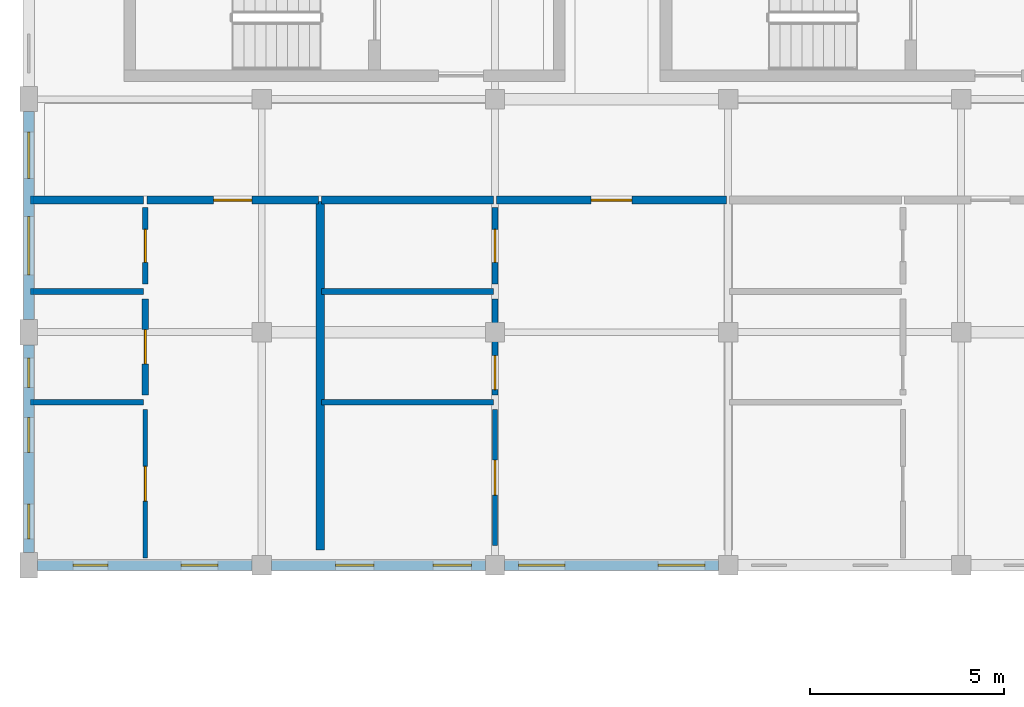
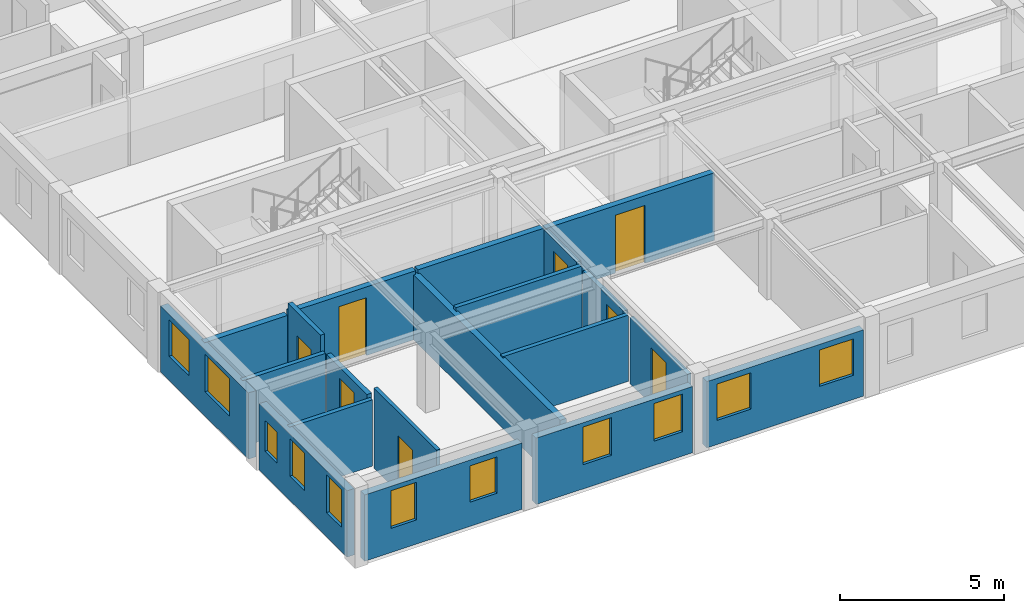
# One storey, part 4 of 23: 20 walls, 11 windows, 8 doors, 19 openings.
"""IFC4 building model written with IfcOpenShell, lengths in metres."""

from ifc_helpers import new_model, si_unit, direction, frame, frame_2d, origin, place, context, subcontext, project, spatial, rectangle, extrude, material, layer, layer_set, type_object, element, fill, save


model = new_model("IFC4")

# Units and contexts
model_context = context("Model", 3, precision=1e-05, world=origin(), true_north=direction((0.0, 1.0)))
body_context = subcontext(model_context, "Body", "Model", "MODEL_VIEW")
ifc_project = project(units=[si_unit("LENGTHUNIT", "METRE"), si_unit("AREAUNIT", "SQUARE_METRE"), si_unit("VOLUMEUNIT", "CUBIC_METRE"), si_unit("PLANEANGLEUNIT", "RADIAN"), si_unit("MASSUNIT", "GRAM", prefix="KILO"), si_unit("POWERUNIT", "WATT"), si_unit("THERMODYNAMICTEMPERATUREUNIT", "KELVIN")], contexts=[model_context])

# Site, building, storey
site_placement = place(None, origin())
site = spatial("IfcSite", under=ifc_project, at=site_placement, CompositionType="ELEMENT")
building_placement = place(site_placement, origin())
building = spatial("IfcBuilding", under=site, at=building_placement, Name="Ruvembo Vaulted Housing Court", CompositionType="ELEMENT")
storey_placement = place(building_placement, frame((0.0, 0.0, 26.89990234375)))
storey = spatial("IfcBuildingStorey", under=building, at=storey_placement, Name="L08", CompositionType="ELEMENT", Elevation=26.89990234375)

# Wall
ifc_material_1 = material(Name="Concrete Blockwork 210", Category="masonry")
ifc_layer_1 = layer(ifc_material_1, 0.2099609375, Name="Concrete Blockwork 210")
ifc_layer_set_1 = layer_set([ifc_layer_1], Name="Concrete Blockwork 210")
wall_type_1 = type_object("IfcWallType", Name="WL-CORR-210", PredefinedType="SOLIDWALL", material=ifc_layer_set_1)
wall_1_placement = place(storey_placement, frame((0.0400390625, 15.39990234375, 0.0), z_axis=(0.0, 0.0, 1.0), x_axis=(1.0, 0.0, 0.0)))
element("IfcWall", 1, at=wall_1_placement, inside=storey, type_object=wall_type_1, Name="L08 Flat A-L08-S1 Corridor Wall WL-INT-L08-02018", PredefinedType="SOLIDWALL", context=body_context, shape_type="SweptSolid", body=[
    extrude(rectangle(XDim=2.919921875, YDim=0.2099609375, at=frame_2d((1.4599609375, 0.0))), origin(), (0.0, 0.0, 1.0), 2.462158203125),
])

# Wall, opening, door
wall_2_placement = place(storey_placement, frame((3.0400390625, 15.39990234375, 0.0), z_axis=(0.0, 0.0, 1.0), x_axis=(1.0, 0.0, 0.0)))
wall_2 = element("IfcWall", 2, at=wall_2_placement, inside=storey, type_object=wall_type_1, Name="L08 Flat A-L08-S1 Entrance WL-INT-L08-02019", PredefinedType="SOLIDWALL", context=body_context, shape_type="SweptSolid", body=[
    extrude(rectangle(XDim=4.419921875, YDim=0.2099609375, at=frame_2d((2.2099609375, 0.0))), origin(), (0.0, 0.0, 1.0), 2.548095703125),
])
opening_1_placement = place(wall_2_placement, frame((1.719970703125, 0.0, 0.0)))
opening_1 = element("IfcOpeningElement", 3, at=opening_1_placement, cuts=wall_2, Name="Opening FD2", PredefinedType="OPENING", context=body_context, shape_type="SweptSolid", body=[
    extrude(rectangle(XDim=0.97998046875, YDim=2.14990234375, at=frame_2d((0.489990234375, 1.074951171875))), frame((0.0, 0.114990234375, 0.0), z_axis=(0.0, -1.0, 0.0), x_axis=(1.0, 0.0, 0.0)), (0.0, 0.0, 1.0), 0.22998046875),
])
ifc_material_2 = material(Name="FSC Hardwood and Engineered Timber", Category="wood")
door_type_1 = type_object("IfcDoorType", Name="DR-FLAT-0980x2150", OperationType="NOTDEFINED", PredefinedType="DOOR", material=ifc_material_2)
door_1_placement = place(opening_1_placement, origin())
door_1 = element("IfcDoor", 4, at=door_1_placement, inside=storey, type_object=door_type_1, Name="L08 Flat A-L08-S1 Entrance Door DR-INT-L08-01129", OperationType="SINGLE_SWING_LEFT", OverallHeight=2.14990234375, OverallWidth=0.97998046875, PredefinedType="DOOR", context=body_context, shape_type="SweptSolid", body=[
    extrude(rectangle(XDim=0.97998046875, YDim=2.14990234375, at=frame_2d((0.489990234375, 1.074951171875))), frame((0.0, 0.02490234375, 0.0), z_axis=(0.0, -1.0, 0.0), x_axis=(1.0, 0.0, 0.0)), (0.0, 0.0, 1.0), 0.050048828125),
])
fill(opening_1, door_1)

# Wall
wall_3_placement = place(storey_placement, frame((7.5400390625, 15.39990234375, 0.0), z_axis=(0.0, 0.0, 1.0), x_axis=(1.0, 0.0, 0.0)))
element("IfcWall", 5, at=wall_3_placement, inside=storey, type_object=wall_type_1, Name="L08 Flat A-L08-S2 Corridor Wall WL-INT-L08-02026", PredefinedType="SOLIDWALL", context=body_context, shape_type="SweptSolid", body=[
    extrude(rectangle(XDim=4.419921875, YDim=0.2099609375, at=frame_2d((2.2099609375, 0.0))), origin(), (0.0, 0.0, 1.0), 2.548095703125),
])

# Wall, opening, door
wall_4_placement = place(storey_placement, frame((12.0400390625, 15.39990234375, 0.0), z_axis=(0.0, 0.0, 1.0), x_axis=(1.0, 0.0, 0.0)))
wall_4 = element("IfcWall", 6, at=wall_4_placement, inside=storey, type_object=wall_type_1, Name="L08 Flat A-L08-S2 Entrance WL-INT-L08-02027", PredefinedType="SOLIDWALL", context=body_context, shape_type="SweptSolid", body=[
    extrude(rectangle(XDim=5.919921875, YDim=0.2099609375, at=frame_2d((2.9599609375, 0.0))), origin(), (0.0, 0.0, 1.0), 2.508056640625),
])
opening_2_placement = place(wall_4_placement, frame((2.43505859375, 0.0, 0.0)))
opening_2 = element("IfcOpeningElement", 7, at=opening_2_placement, cuts=wall_4, Name="Opening FD3", PredefinedType="OPENING", context=body_context, shape_type="SweptSolid", body=[
    extrude(rectangle(XDim=1.050048828125, YDim=2.14990234375, at=frame_2d((0.52490234375, 1.074951171875))), frame((0.0, 0.114990234375, 0.0), z_axis=(0.0, -1.0, 0.0), x_axis=(1.0, 0.0, 0.0)), (0.0, 0.0, 1.0), 0.22998046875),
])
door_type_2 = type_object("IfcDoorType", Name="DR-FLAT-1050x2150", OperationType="NOTDEFINED", PredefinedType="DOOR", material=ifc_material_2)
door_2_placement = place(opening_2_placement, origin())
door_2 = element("IfcDoor", 8, at=door_2_placement, inside=storey, type_object=door_type_2, Name="L08 Flat A-L08-S2 Entrance Door DR-INT-L08-01133", OperationType="SINGLE_SWING_LEFT", OverallHeight=2.14990234375, OverallWidth=1.050048828125, PredefinedType="DOOR", context=body_context, shape_type="SweptSolid", body=[
    extrude(rectangle(XDim=1.050048828125, YDim=2.14990234375, at=frame_2d((0.52490234375, 1.074951171875))), frame((0.0, 0.02490234375, 0.0), z_axis=(0.0, -1.0, 0.0), x_axis=(1.0, 0.0, 0.0)), (0.0, 0.0, 1.0), 0.050048828125),
])
fill(opening_2, door_2)

# Wall
ifc_material_3 = material(Name="Acoustic Masonry Demising 220", Category="masonry")
ifc_layer_2 = layer(ifc_material_3, 0.219970703125, Name="Acoustic Masonry Demising 220")
ifc_layer_set_2 = layer_set([ifc_layer_2], Name="Acoustic Masonry Demising 220")
wall_type_2 = type_object("IfcWallType", Name="WL-DEM-200", PredefinedType="SOLIDWALL", material=ifc_layer_set_2)
wall_5_placement = place(storey_placement, frame((7.5, 6.389892578125, 0.0), z_axis=(0.0, 0.0, 1.0), x_axis=(0.0, 1.0, 0.0)))
element("IfcWall", 9, at=wall_5_placement, inside=storey, type_object=wall_type_2, Name="L08 Demising A-L08-S1 WL-INT-L08-02017", PredefinedType="SOLIDWALL", context=body_context, shape_type="SweptSolid", body=[
    extrude(rectangle(XDim=8.97021484375, YDim=0.219970703125, at=frame_2d((4.485107421875, 0.0))), origin(), (0.0, 0.0, 1.0), 2.408203125),
])

# Wall, openings, windows
ifc_material_4 = material(Name="Rendered Masonry 260", Category="masonry")
ifc_layer_3 = layer(ifc_material_4, 0.260009765625, Name="Rendered Masonry 260")
ifc_layer_set_3 = layer_set([ifc_layer_3], Name="Rendered Masonry 260")
wall_type_3 = type_object("IfcWallType", Name="WL-EXT-260", PredefinedType="STANDARD", material=ifc_layer_set_3)
wall_6_placement = place(storey_placement, frame((0.22509765625, 6.0, 0.0), z_axis=(0.0, 0.0, 1.0), x_axis=(1.0, 0.0, 0.0)))
wall_6 = element("IfcWall", 10, at=wall_6_placement, inside=storey, type_object=wall_type_3, Name="Block A L08 Exterior Wall STREET #1", PredefinedType="STANDARD", context=body_context, shape_type="SweptSolid", body=[
    extrude(rectangle(XDim=5.52490234375, YDim=0.260009765625, at=frame_2d((2.762451171875, 0.0))), origin(), (0.0, 0.0, 1.0), 2.462158203125),
])
opening_3_placement = place(wall_6_placement, frame((0.91748046875, 0.0, 0.89990234375)))
opening_3 = element("IfcOpeningElement", 11, at=opening_3_placement, cuts=wall_6, Name="Opening W05", PredefinedType="OPENING", context=body_context, shape_type="SweptSolid", body=[
    extrude(rectangle(XDim=0.89990234375, YDim=1.39990234375, at=frame_2d((0.449951171875, 0.699951171875))), frame((0.0, 0.139892578125, 0.0), z_axis=(0.0, -1.0, 0.0), x_axis=(1.0, 0.0, 0.0)), (0.0, 0.0, 1.0), 0.280029296875),
])
opening_4_placement = place(wall_6_placement, frame((3.695068359375, 0.0, 0.89990234375)))
opening_4 = element("IfcOpeningElement", 12, at=opening_4_placement, cuts=wall_6, Name="Opening W07", PredefinedType="OPENING", context=body_context, shape_type="SweptSolid", body=[
    extrude(rectangle(XDim=0.949951171875, YDim=1.35009765625, at=frame_2d((0.47509765625, 0.675048828125))), frame((0.0, 0.139892578125, 0.0), z_axis=(0.0, -1.0, 0.0), x_axis=(1.0, 0.0, 0.0)), (0.0, 0.0, 1.0), 0.280029296875),
])
ifc_material_5 = material(Name="Double Solar-Control Glazing in Aluminium Frame", Category="aluminium")
window_type_1 = type_object("IfcWindowType", Name="WIN-0900x1400", PartitioningType="SINGLE_PANEL", PredefinedType="WINDOW", material=ifc_material_5)
window_1_placement = place(opening_3_placement, origin())
window_1 = element("IfcWindow", 13, at=window_1_placement, inside=storey, type_object=window_type_1, Name="Block A L08 Window #342", OverallHeight=1.39990234375, OverallWidth=0.89990234375, PartitioningType="SINGLE_PANEL", PredefinedType="WINDOW", context=body_context, shape_type="SweptSolid", body=[
    extrude(rectangle(XDim=0.89990234375, YDim=1.39990234375, at=frame_2d((0.449951171875, 0.699951171875))), frame((0.0, 0.030029296875, 0.0), z_axis=(0.0, -1.0, 0.0), x_axis=(1.0, 0.0, 0.0)), (0.0, 0.0, 1.0), 0.06005859375),
])
fill(opening_3, window_1)
window_type_2 = type_object("IfcWindowType", Name="WIN-0950x1350", PartitioningType="SINGLE_PANEL", PredefinedType="WINDOW", material=ifc_material_5)
window_2_placement = place(opening_4_placement, origin())
window_2 = element("IfcWindow", 14, at=window_2_placement, inside=storey, type_object=window_type_2, Name="Block A L08 Window #343", OverallHeight=1.35009765625, OverallWidth=0.949951171875, PartitioningType="SINGLE_PANEL", PredefinedType="WINDOW", context=body_context, shape_type="SweptSolid", body=[
    extrude(rectangle(XDim=0.949951171875, YDim=1.35009765625, at=frame_2d((0.47509765625, 0.675048828125))), frame((0.0, 0.030029296875, 0.0), z_axis=(0.0, -1.0, 0.0), x_axis=(1.0, 0.0, 0.0)), (0.0, 0.0, 1.0), 0.06005859375),
])
fill(opening_4, window_2)

wall_7_placement = place(storey_placement, frame((6.25, 6.0, 0.0), z_axis=(0.0, 0.0, 1.0), x_axis=(1.0, 0.0, 0.0)))
wall_7 = element("IfcWall", 15, at=wall_7_placement, inside=storey, type_object=wall_type_3, Name="Block A L08 Exterior Wall STREET #2", PredefinedType="STANDARD", context=body_context, shape_type="SweptSolid", body=[
    extrude(rectangle(XDim=5.5, YDim=0.260009765625, at=frame_2d((2.75, 0.0))), origin(), (0.0, 0.0, 1.0), 2.462158203125),
])
opening_5_placement = place(wall_7_placement, frame((1.639892578125, 0.0, 0.89990234375)))
opening_5 = element("IfcOpeningElement", 16, at=opening_5_placement, cuts=wall_7, Name="Opening W08", PredefinedType="OPENING", context=body_context, shape_type="SweptSolid", body=[
    extrude(rectangle(XDim=1.0, YDim=1.39990234375, at=frame_2d((0.5, 0.699951171875))), frame((0.0, 0.139892578125, 0.0), z_axis=(0.0, -1.0, 0.0), x_axis=(1.0, 0.0, 0.0)), (0.0, 0.0, 1.0), 0.280029296875),
])
opening_6_placement = place(wall_7_placement, frame((4.14990234375, 0.0, 0.89990234375)))
opening_6 = element("IfcOpeningElement", 17, at=opening_6_placement, cuts=wall_7, Name="Opening W08", PredefinedType="OPENING", context=body_context, shape_type="SweptSolid", body=[
    extrude(rectangle(XDim=1.0, YDim=1.39990234375, at=frame_2d((0.5, 0.699951171875))), frame((0.0, 0.139892578125, 0.0), z_axis=(0.0, -1.0, 0.0), x_axis=(1.0, 0.0, 0.0)), (0.0, 0.0, 1.0), 0.280029296875),
])
window_type_3 = type_object("IfcWindowType", Name="WIN-1000x1400", PartitioningType="SINGLE_PANEL", PredefinedType="WINDOW", material=ifc_material_5)
window_3_placement = place(opening_5_placement, origin())
window_3 = element("IfcWindow", 18, at=window_3_placement, inside=storey, type_object=window_type_3, Name="Block A L08 Window #344", OverallHeight=1.39990234375, OverallWidth=1.0, PartitioningType="SINGLE_PANEL", PredefinedType="WINDOW", context=body_context, shape_type="SweptSolid", body=[
    extrude(rectangle(XDim=1.0, YDim=1.39990234375, at=frame_2d((0.5, 0.699951171875))), frame((0.0, 0.030029296875, 0.0), z_axis=(0.0, -1.0, 0.0), x_axis=(1.0, 0.0, 0.0)), (0.0, 0.0, 1.0), 0.06005859375),
])
fill(opening_5, window_3)
window_4_placement = place(opening_6_placement, origin())
window_4 = element("IfcWindow", 19, at=window_4_placement, inside=storey, type_object=window_type_3, Name="Block A L08 Window #345", OverallHeight=1.39990234375, OverallWidth=1.0, PartitioningType="SINGLE_PANEL", PredefinedType="WINDOW", context=body_context, shape_type="SweptSolid", body=[
    extrude(rectangle(XDim=1.0, YDim=1.39990234375, at=frame_2d((0.5, 0.699951171875))), frame((0.0, 0.030029296875, 0.0), z_axis=(0.0, -1.0, 0.0), x_axis=(1.0, 0.0, 0.0)), (0.0, 0.0, 1.0), 0.06005859375),
])
fill(opening_6, window_4)

wall_8_placement = place(storey_placement, frame((12.25, 6.0, 0.0), z_axis=(0.0, 0.0, 1.0), x_axis=(1.0, 0.0, 0.0)))
wall_8 = element("IfcWall", 20, at=wall_8_placement, inside=storey, type_object=wall_type_3, Name="Block A L08 Exterior Wall STREET #3", PredefinedType="STANDARD", context=body_context, shape_type="SweptSolid", body=[
    extrude(rectangle(XDim=5.5, YDim=0.260009765625, at=frame_2d((2.75, 0.0))), origin(), (0.0, 0.0, 1.0), 2.462158203125),
])
opening_7_placement = place(wall_8_placement, frame((0.35009765625, 0.0, 0.89990234375)))
opening_7 = element("IfcOpeningElement", 21, at=opening_7_placement, cuts=wall_8, Name="Opening W12", PredefinedType="OPENING", context=body_context, shape_type="SweptSolid", body=[
    extrude(rectangle(XDim=1.199951171875, YDim=1.35009765625, at=frame_2d((0.60009765625, 0.675048828125))), frame((0.0, 0.139892578125, 0.0), z_axis=(0.0, -1.0, 0.0), x_axis=(1.0, 0.0, 0.0)), (0.0, 0.0, 1.0), 0.280029296875),
])
opening_8_placement = place(wall_8_placement, frame((3.949951171875, 0.0, 0.89990234375)))
opening_8 = element("IfcOpeningElement", 22, at=opening_8_placement, cuts=wall_8, Name="Opening W12", PredefinedType="OPENING", context=body_context, shape_type="SweptSolid", body=[
    extrude(rectangle(XDim=1.199951171875, YDim=1.35009765625, at=frame_2d((0.60009765625, 0.675048828125))), frame((0.0, 0.139892578125, 0.0), z_axis=(0.0, -1.0, 0.0), x_axis=(1.0, 0.0, 0.0)), (0.0, 0.0, 1.0), 0.280029296875),
])
window_type_4 = type_object("IfcWindowType", Name="WIN-1200x1350", PartitioningType="SINGLE_PANEL", PredefinedType="WINDOW", material=ifc_material_5)
window_5_placement = place(opening_7_placement, origin())
window_5 = element("IfcWindow", 23, at=window_5_placement, inside=storey, type_object=window_type_4, Name="Block A L08 Window #346", OverallHeight=1.35009765625, OverallWidth=1.199951171875, PartitioningType="SINGLE_PANEL", PredefinedType="WINDOW", context=body_context, shape_type="SweptSolid", body=[
    extrude(rectangle(XDim=1.199951171875, YDim=1.35009765625, at=frame_2d((0.60009765625, 0.675048828125))), frame((0.0, 0.030029296875, 0.0), z_axis=(0.0, -1.0, 0.0), x_axis=(1.0, 0.0, 0.0)), (0.0, 0.0, 1.0), 0.06005859375),
])
fill(opening_7, window_5)
window_6_placement = place(opening_8_placement, origin())
window_6 = element("IfcWindow", 24, at=window_6_placement, inside=storey, type_object=window_type_4, Name="Block A L08 Window #347", OverallHeight=1.35009765625, OverallWidth=1.199951171875, PartitioningType="SINGLE_PANEL", PredefinedType="WINDOW", context=body_context, shape_type="SweptSolid", body=[
    extrude(rectangle(XDim=1.199951171875, YDim=1.35009765625, at=frame_2d((0.60009765625, 0.675048828125))), frame((0.0, 0.030029296875, 0.0), z_axis=(0.0, -1.0, 0.0), x_axis=(1.0, 0.0, 0.0)), (0.0, 0.0, 1.0), 0.06005859375),
])
fill(opening_8, window_6)

wall_9_placement = place(storey_placement, frame((0.0, 17.675048828125, 0.0), z_axis=(0.0, 0.0, 1.0), x_axis=(0.0, -1.0, 0.0)))
wall_9 = element("IfcWall", 25, at=wall_9_placement, inside=storey, type_object=wall_type_3, Name="Block A L08 Exterior Wall WEST #4", PredefinedType="STANDARD", context=body_context, shape_type="SweptSolid", body=[
    extrude(rectangle(XDim=5.35009765625, YDim=0.260009765625, at=frame_2d((2.675048828125, 0.0))), origin(), (0.0, 0.0, 1.0), 2.462158203125),
])
opening_9_placement = place(wall_9_placement, frame((0.517578125, 0.0, 0.89990234375)))
opening_9 = element("IfcOpeningElement", 26, at=opening_9_placement, cuts=wall_9, Name="Opening W12", PredefinedType="OPENING", context=body_context, shape_type="SweptSolid", body=[
    extrude(rectangle(XDim=1.199951171875, YDim=1.35009765625, at=frame_2d((0.60009765625, 0.675048828125))), frame((0.0, 0.139892578125, 0.0), z_axis=(0.0, -1.0, 0.0), x_axis=(1.0, 0.0, 0.0)), (0.0, 0.0, 1.0), 0.280029296875),
])
opening_10_placement = place(wall_9_placement, frame((2.699951171875, 0.0, 0.89990234375)))
opening_10 = element("IfcOpeningElement", 27, at=opening_10_placement, cuts=wall_9, Name="Opening W18", PredefinedType="OPENING", context=body_context, shape_type="SweptSolid", body=[
    extrude(rectangle(XDim=1.5, YDim=1.39990234375, at=frame_2d((0.75, 0.699951171875))), frame((0.0, 0.139892578125, 0.0), z_axis=(0.0, -1.0, 0.0), x_axis=(1.0, 0.0, 0.0)), (0.0, 0.0, 1.0), 0.280029296875),
])
window_7_placement = place(opening_9_placement, origin())
window_7 = element("IfcWindow", 28, at=window_7_placement, inside=storey, type_object=window_type_4, Name="Block A L08 Window #382", OverallHeight=1.35009765625, OverallWidth=1.199951171875, PartitioningType="SINGLE_PANEL", PredefinedType="WINDOW", context=body_context, shape_type="SweptSolid", body=[
    extrude(rectangle(XDim=1.199951171875, YDim=1.35009765625, at=frame_2d((0.60009765625, 0.675048828125))), frame((0.0, 0.030029296875, 0.0), z_axis=(0.0, -1.0, 0.0), x_axis=(1.0, 0.0, 0.0)), (0.0, 0.0, 1.0), 0.06005859375),
])
fill(opening_9, window_7)
window_type_5 = type_object("IfcWindowType", Name="WIN-1500x1400", PartitioningType="SINGLE_PANEL", PredefinedType="WINDOW", material=ifc_material_5)
window_8_placement = place(opening_10_placement, origin())
window_8 = element("IfcWindow", 29, at=window_8_placement, inside=storey, type_object=window_type_5, Name="Block A L08 Window #383", OverallHeight=1.39990234375, OverallWidth=1.5, PartitioningType="SINGLE_PANEL", PredefinedType="WINDOW", context=body_context, shape_type="SweptSolid", body=[
    extrude(rectangle(XDim=1.5, YDim=1.39990234375, at=frame_2d((0.75, 0.699951171875))), frame((0.0, 0.030029296875, 0.0), z_axis=(0.0, -1.0, 0.0), x_axis=(1.0, 0.0, 0.0)), (0.0, 0.0, 1.0), 0.06005859375),
])
fill(opening_10, window_8)

wall_10_placement = place(storey_placement, frame((0.0, 11.675048828125, 0.0), z_axis=(0.0, 0.0, 1.0), x_axis=(0.0, -1.0, 0.0)))
wall_10 = element("IfcWall", 30, at=wall_10_placement, inside=storey, type_object=wall_type_3, Name="Block A L08 Exterior Wall WEST #5", PredefinedType="STANDARD", context=body_context, shape_type="SweptSolid", body=[
    extrude(rectangle(XDim=5.35009765625, YDim=0.260009765625, at=frame_2d((2.675048828125, 0.0))), origin(), (0.0, 0.0, 1.0), 2.462158203125),
])
opening_11_placement = place(wall_10_placement, frame((0.342529296875, 0.0, 0.89990234375)))
opening_11 = element("IfcOpeningElement", 31, at=opening_11_placement, cuts=wall_10, Name="Opening W01", PredefinedType="OPENING", context=body_context, shape_type="SweptSolid", body=[
    extrude(rectangle(XDim=0.75, YDim=1.14990234375, at=frame_2d((0.375, 0.574951171875))), frame((0.0, 0.139892578125, 0.0), z_axis=(0.0, -1.0, 0.0), x_axis=(1.0, 0.0, 0.0)), (0.0, 0.0, 1.0), 0.280029296875),
])
opening_12_placement = place(wall_10_placement, frame((1.864990234375, 0.0, 0.89990234375)))
opening_12 = element("IfcOpeningElement", 32, at=opening_12_placement, cuts=wall_10, Name="Opening W05", PredefinedType="OPENING", context=body_context, shape_type="SweptSolid", body=[
    extrude(rectangle(XDim=0.89990234375, YDim=1.39990234375, at=frame_2d((0.449951171875, 0.699951171875))), frame((0.0, 0.139892578125, 0.0), z_axis=(0.0, -1.0, 0.0), x_axis=(1.0, 0.0, 0.0)), (0.0, 0.0, 1.0), 0.280029296875),
])
opening_13_placement = place(wall_10_placement, frame((4.10009765625, 0.0, 0.89990234375)))
opening_13 = element("IfcOpeningElement", 33, at=opening_13_placement, cuts=wall_10, Name="Opening W05", PredefinedType="OPENING", context=body_context, shape_type="SweptSolid", body=[
    extrude(rectangle(XDim=0.89990234375, YDim=1.39990234375, at=frame_2d((0.449951171875, 0.699951171875))), frame((0.0, 0.139892578125, 0.0), z_axis=(0.0, -1.0, 0.0), x_axis=(1.0, 0.0, 0.0)), (0.0, 0.0, 1.0), 0.280029296875),
])
window_type_6 = type_object("IfcWindowType", Name="WIN-0750x1150", PartitioningType="SINGLE_PANEL", PredefinedType="WINDOW", material=ifc_material_5)
window_9_placement = place(opening_11_placement, origin())
window_9 = element("IfcWindow", 34, at=window_9_placement, inside=storey, type_object=window_type_6, Name="Block A L08 Window #384", OverallHeight=1.14990234375, OverallWidth=0.75, PartitioningType="SINGLE_PANEL", PredefinedType="WINDOW", context=body_context, shape_type="SweptSolid", body=[
    extrude(rectangle(XDim=0.75, YDim=1.14990234375, at=frame_2d((0.375, 0.574951171875))), frame((0.0, 0.030029296875, 0.0), z_axis=(0.0, -1.0, 0.0), x_axis=(1.0, 0.0, 0.0)), (0.0, 0.0, 1.0), 0.06005859375),
])
fill(opening_11, window_9)
window_10_placement = place(opening_12_placement, origin())
window_10 = element("IfcWindow", 35, at=window_10_placement, inside=storey, type_object=window_type_1, Name="Block A L08 Window #385", OverallHeight=1.39990234375, OverallWidth=0.89990234375, PartitioningType="SINGLE_PANEL", PredefinedType="WINDOW", context=body_context, shape_type="SweptSolid", body=[
    extrude(rectangle(XDim=0.89990234375, YDim=1.39990234375, at=frame_2d((0.449951171875, 0.699951171875))), frame((0.0, 0.030029296875, 0.0), z_axis=(0.0, -1.0, 0.0), x_axis=(1.0, 0.0, 0.0)), (0.0, 0.0, 1.0), 0.06005859375),
])
fill(opening_12, window_10)
window_11_placement = place(opening_13_placement, origin())
window_11 = element("IfcWindow", 36, at=window_11_placement, inside=storey, type_object=window_type_1, Name="Block A L08 Window #386", OverallHeight=1.39990234375, OverallWidth=0.89990234375, PartitioningType="SINGLE_PANEL", PredefinedType="WINDOW", context=body_context, shape_type="SweptSolid", body=[
    extrude(rectangle(XDim=0.89990234375, YDim=1.39990234375, at=frame_2d((0.449951171875, 0.699951171875))), frame((0.0, 0.030029296875, 0.0), z_axis=(0.0, -1.0, 0.0), x_axis=(1.0, 0.0, 0.0)), (0.0, 0.0, 1.0), 0.06005859375),
])
fill(opening_13, window_11)

# Wall, opening, door
ifc_material_6 = material(Name="Plasterboard Stud Partition 125", Category="gypsum")
ifc_layer_4 = layer(ifc_material_6, 0.125, Name="Plasterboard Stud Partition 125")
ifc_layer_set_4 = layer_set([ifc_layer_4], Name="Plasterboard Stud Partition 125")
wall_type_4 = type_object("IfcWallType", Name="WL-PART-125", PredefinedType="PARTITIONING", material=ifc_layer_set_4)
wall_11_placement = place(storey_placement, frame((3.0, 6.18994140625, 0.0), z_axis=(0.0, 0.0, 1.0), x_axis=(0.0, 1.0, 0.0)))
wall_11 = element("IfcWall", 37, at=wall_11_placement, inside=storey, type_object=wall_type_4, Name="L08 Flat A-L08-S1 Bedroom 1 WL-INT-L08-02020", PredefinedType="PARTITIONING", context=body_context, shape_type="SweptSolid", body=[
    extrude(rectangle(XDim=3.820068359375, YDim=0.125, at=frame_2d((1.91015625, 0.0))), origin(), (0.0, 0.0, 1.0), 2.97998046875),
])
opening_14_placement = place(wall_11_placement, frame((1.4599609375, 0.0, 0.0)))
opening_14 = element("IfcOpeningElement", 38, at=opening_14_placement, cuts=wall_11, Name="Opening ID1", PredefinedType="OPENING", context=body_context, shape_type="SweptSolid", body=[
    extrude(rectangle(XDim=0.89990234375, YDim=2.10009765625, at=frame_2d((0.449951171875, 1.050048828125))), frame((0.0, 0.072509765625, 0.0), z_axis=(0.0, -1.0, 0.0), x_axis=(1.0, 0.0, 0.0)), (0.0, 0.0, 1.0), 0.14501953125),
])
door_type_3 = type_object("IfcDoorType", Name="DR-ROOM-0900x2100", OperationType="NOTDEFINED", PredefinedType="DOOR", material=ifc_material_2)
door_3_placement = place(opening_14_placement, origin())
door_3 = element("IfcDoor", 39, at=door_3_placement, inside=storey, type_object=door_type_3, Name="L08 Flat A-L08-S1 Bedroom 1 Door DR-INT-L08-01130", OperationType="SINGLE_SWING_RIGHT", OverallHeight=2.10009765625, OverallWidth=0.89990234375, PredefinedType="DOOR", context=body_context, shape_type="SweptSolid", body=[
    extrude(rectangle(XDim=0.89990234375, YDim=2.10009765625, at=frame_2d((0.449951171875, 1.050048828125))), frame((0.0, 0.02490234375, 0.0), z_axis=(0.0, -1.0, 0.0), x_axis=(1.0, 0.0, 0.0)), (0.0, 0.0, 1.0), 0.050048828125),
])
fill(opening_14, door_3)

ifc_material_7 = material(Name="Acoustic Stud Partition 135", Category="gypsum")
ifc_layer_5 = layer(ifc_material_7, 0.135009765625, Name="Acoustic Stud Partition 135")
ifc_layer_set_5 = layer_set([ifc_layer_5], Name="Acoustic Stud Partition 135")
wall_type_5 = type_object("IfcWallType", Name="WL-PART-135", PredefinedType="PARTITIONING", material=ifc_layer_set_5)
wall_12_placement = place(storey_placement, frame((12.0, 6.510009765625, 0.0), z_axis=(0.0, 0.0, 1.0), x_axis=(0.0, 1.0, 0.0)))
wall_12 = element("IfcWall", 40, at=wall_12_placement, inside=storey, type_object=wall_type_5, Name="L08 Flat A-L08-S2 Bedroom 1 WL-INT-L08-02028", PredefinedType="PARTITIONING", context=body_context, shape_type="SweptSolid", body=[
    extrude(rectangle(XDim=3.5, YDim=0.135009765625, at=frame_2d((1.75, 0.0))), origin(), (0.0, 0.0, 1.0), 2.4580078125),
])
opening_15_placement = place(wall_12_placement, frame((1.300048828125, 0.0, 0.0)))
opening_15 = element("IfcOpeningElement", 41, at=opening_15_placement, cuts=wall_12, Name="Opening ID1", PredefinedType="OPENING", context=body_context, shape_type="SweptSolid", body=[
    extrude(rectangle(XDim=0.89990234375, YDim=2.10009765625, at=frame_2d((0.449951171875, 1.050048828125))), frame((0.0, 0.077392578125, 0.0), z_axis=(0.0, -1.0, 0.0), x_axis=(1.0, 0.0, 0.0)), (0.0, 0.0, 1.0), 0.155029296875),
])
door_4_placement = place(opening_15_placement, origin())
door_4 = element("IfcDoor", 42, at=door_4_placement, inside=storey, type_object=door_type_3, Name="L08 Flat A-L08-S2 Bedroom 1 Door DR-INT-L08-01134", OperationType="SINGLE_SWING_RIGHT", OverallHeight=2.10009765625, OverallWidth=0.89990234375, PredefinedType="DOOR", context=body_context, shape_type="SweptSolid", body=[
    extrude(rectangle(XDim=0.89990234375, YDim=2.10009765625, at=frame_2d((0.449951171875, 1.050048828125))), frame((0.0, 0.02490234375, 0.0), z_axis=(0.0, -1.0, 0.0), x_axis=(1.0, 0.0, 0.0)), (0.0, 0.0, 1.0), 0.050048828125),
])
fill(opening_15, door_4)

ifc_material_8 = material(Name="Moisture-Resistant Wet Partition 150", Category="gypsum")
ifc_layer_6 = layer(ifc_material_8, 0.14990234375, Name="Moisture-Resistant Wet Partition 150")
ifc_layer_set_6 = layer_set([ifc_layer_6], Name="Moisture-Resistant Wet Partition 150")
wall_type_6 = type_object("IfcWallType", Name="WL-PART-150", PredefinedType="PARTITIONING", material=ifc_layer_set_6)
wall_13_placement = place(storey_placement, frame((3.0, 13.239990234375, 0.0), z_axis=(0.0, 0.0, 1.0), x_axis=(0.0, 1.0, 0.0)))
wall_13 = element("IfcWall", 43, at=wall_13_placement, inside=storey, type_object=wall_type_6, Name="L08 Flat A-L08-S1 Bathroom WL-INT-L08-02022", PredefinedType="PARTITIONING", context=body_context, shape_type="SweptSolid", body=[
    extrude(rectangle(XDim=1.969970703125, YDim=0.14990234375, at=frame_2d((0.98486328125, 0.0))), origin(), (0.0, 0.0, 1.0), 2.97998046875),
])
opening_16_placement = place(wall_13_placement, frame((0.56005859375, 0.0, 0.0)))
opening_16 = element("IfcOpeningElement", 44, at=opening_16_placement, cuts=wall_13, Name="Opening ID2", PredefinedType="OPENING", context=body_context, shape_type="SweptSolid", body=[
    extrude(rectangle(XDim=0.85009765625, YDim=2.10009765625, at=frame_2d((0.425048828125, 1.050048828125))), frame((0.0, 0.0849609375, 0.0), z_axis=(0.0, -1.0, 0.0), x_axis=(1.0, 0.0, 0.0)), (0.0, 0.0, 1.0), 0.169921875),
])
door_type_4 = type_object("IfcDoorType", Name="DR-WET-0850x2100", OperationType="NOTDEFINED", PredefinedType="DOOR", material=ifc_material_2)
door_5_placement = place(opening_16_placement, origin())
door_5 = element("IfcDoor", 45, at=door_5_placement, inside=storey, type_object=door_type_4, Name="L08 Flat A-L08-S1 Bathroom Door DR-INT-L08-01132", OperationType="SINGLE_SWING_RIGHT", OverallHeight=2.10009765625, OverallWidth=0.85009765625, PredefinedType="DOOR", context=body_context, shape_type="SweptSolid", body=[
    extrude(rectangle(XDim=0.85009765625, YDim=2.10009765625, at=frame_2d((0.425048828125, 1.050048828125))), frame((0.0, 0.02490234375, 0.0), z_axis=(0.0, -1.0, 0.0), x_axis=(1.0, 0.0, 0.0)), (0.0, 0.0, 1.0), 0.050048828125),
])
fill(opening_16, door_5)

# Walls
for number, where, z_axis, x_axis, name in (
    (46, (0.0400390625, 10.199951171875, 0.0), (0.0, 0.0, 1.0), (1.0, 0.0, 0.0), "L08 Flat A-L08-S1 Wet Wall 1 WL-INT-L08-02023"),
    (47, (0.0400390625, 13.050048828125, 0.0), (0.0, 0.0, 1.0), (1.0, 0.0, 0.0), "L08 Flat A-L08-S1 Wet Wall 2 WL-INT-L08-02024"),
):
    element("IfcWall", number, at=place(storey_placement, frame(where, z_axis=z_axis, x_axis=x_axis)), inside=storey, type_object=wall_type_6, Name=name, PredefinedType="PARTITIONING", context=body_context, shape_type="SweptSolid", body=[
        extrude(rectangle(XDim=2.919921875, YDim=0.14990234375, at=frame_2d((1.4599609375, 0.0))), origin(), (0.0, 0.0, 1.0), 2.462158203125),
    ])

# Wall, opening, door
wall_14_placement = place(storey_placement, frame((12.0, 13.239990234375, 0.0), z_axis=(0.0, 0.0, 1.0), x_axis=(0.0, 1.0, 0.0)))
wall_14 = element("IfcWall", 48, at=wall_14_placement, inside=storey, type_object=wall_type_6, Name="L08 Flat A-L08-S2 Bathroom WL-INT-L08-02030", PredefinedType="PARTITIONING", context=body_context, shape_type="SweptSolid", body=[
    extrude(rectangle(XDim=1.969970703125, YDim=0.14990234375, at=frame_2d((0.98486328125, 0.0))), origin(), (0.0, 0.0, 1.0), 2.548095703125),
])
opening_17_placement = place(wall_14_placement, frame((0.56005859375, 0.0, 0.0)))
opening_17 = element("IfcOpeningElement", 49, at=opening_17_placement, cuts=wall_14, Name="Opening ID2", PredefinedType="OPENING", context=body_context, shape_type="SweptSolid", body=[
    extrude(rectangle(XDim=0.85009765625, YDim=2.10009765625, at=frame_2d((0.425048828125, 1.050048828125))), frame((0.0, 0.0849609375, 0.0), z_axis=(0.0, -1.0, 0.0), x_axis=(1.0, 0.0, 0.0)), (0.0, 0.0, 1.0), 0.169921875),
])
door_6_placement = place(opening_17_placement, origin())
door_6 = element("IfcDoor", 50, at=door_6_placement, inside=storey, type_object=door_type_4, Name="L08 Flat A-L08-S2 Bathroom Door DR-INT-L08-01136", OperationType="SINGLE_SWING_RIGHT", OverallHeight=2.10009765625, OverallWidth=0.85009765625, PredefinedType="DOOR", context=body_context, shape_type="SweptSolid", body=[
    extrude(rectangle(XDim=0.85009765625, YDim=2.10009765625, at=frame_2d((0.425048828125, 1.050048828125))), frame((0.0, 0.02490234375, 0.0), z_axis=(0.0, -1.0, 0.0), x_axis=(1.0, 0.0, 0.0)), (0.0, 0.0, 1.0), 0.050048828125),
])
fill(opening_17, door_6)

# Walls
wall_15_placement = place(storey_placement, frame((7.5400390625, 10.199951171875, 0.0), z_axis=(0.0, 0.0, 1.0), x_axis=(1.0, 0.0, 0.0)))
element("IfcWall", 51, at=wall_15_placement, inside=storey, type_object=wall_type_6, Name="L08 Flat A-L08-S2 Wet Wall 1 WL-INT-L08-02031", PredefinedType="PARTITIONING", context=body_context, shape_type="SweptSolid", body=[
    extrude(rectangle(XDim=4.419921875, YDim=0.14990234375, at=frame_2d((2.2099609375, 0.0))), origin(), (0.0, 0.0, 1.0), 2.4580078125),
])
wall_16_placement = place(storey_placement, frame((7.5400390625, 13.050048828125, 0.0), z_axis=(0.0, 0.0, 1.0), x_axis=(1.0, 0.0, 0.0)))
element("IfcWall", 52, at=wall_16_placement, inside=storey, type_object=wall_type_6, Name="L08 Flat A-L08-S2 Wet Wall 2 WL-INT-L08-02032", PredefinedType="PARTITIONING", context=body_context, shape_type="SweptSolid", body=[
    extrude(rectangle(XDim=4.419921875, YDim=0.14990234375, at=frame_2d((2.2099609375, 0.0))), origin(), (0.0, 0.0, 1.0), 2.548095703125),
])

# Wall, opening, door
ifc_material_9 = material(Name="Acoustic Service Chase Wall 160", Category="gypsum")
ifc_layer_7 = layer(ifc_material_9, 0.159912109375, Name="Acoustic Service Chase Wall 160")
ifc_layer_set_7 = layer_set([ifc_layer_7], Name="Acoustic Service Chase Wall 160")
wall_type_7 = type_object("IfcWallType", Name="WL-PLUMB-160", PredefinedType="PLUMBINGWALL", material=ifc_layer_set_7)
wall_17_placement = place(storey_placement, frame((3.0, 10.389892578125, 0.0), z_axis=(0.0, 0.0, 1.0), x_axis=(0.0, 1.0, 0.0)))
wall_17 = element("IfcWall", 53, at=wall_17_placement, inside=storey, type_object=wall_type_7, Name="L08 Flat A-L08-S1 Kitchen WL-INT-L08-02021", PredefinedType="PLUMBINGWALL", context=body_context, shape_type="SweptSolid", body=[
    extrude(rectangle(XDim=2.47021484375, YDim=0.159912109375, at=frame_2d((1.235107421875, 0.0))), origin(), (0.0, 0.0, 1.0), 2.508056640625),
])
opening_18_placement = place(wall_17_placement, frame((0.794921875, 0.0, 0.0)))
opening_18 = element("IfcOpeningElement", 54, at=opening_18_placement, cuts=wall_17, Name="Opening ID3", PredefinedType="OPENING", context=body_context, shape_type="SweptSolid", body=[
    extrude(rectangle(XDim=0.8798828125, YDim=2.10009765625, at=frame_2d((0.43994140625, 1.050048828125))), frame((0.0, 0.08984375, 0.0), z_axis=(0.0, -1.0, 0.0), x_axis=(1.0, 0.0, 0.0)), (0.0, 0.0, 1.0), 0.179931640625),
])
door_type_5 = type_object("IfcDoorType", Name="DR-ROOM-0880x2100", OperationType="NOTDEFINED", PredefinedType="DOOR", material=ifc_material_2)
door_7_placement = place(opening_18_placement, origin())
door_7 = element("IfcDoor", 55, at=door_7_placement, inside=storey, type_object=door_type_5, Name="L08 Flat A-L08-S1 Kitchen Door DR-INT-L08-01131", OperationType="SINGLE_SWING_LEFT", OverallHeight=2.10009765625, OverallWidth=0.8798828125, PredefinedType="DOOR", context=body_context, shape_type="SweptSolid", body=[
    extrude(rectangle(XDim=0.8798828125, YDim=2.10009765625, at=frame_2d((0.43994140625, 1.050048828125))), frame((0.0, 0.02490234375, 0.0), z_axis=(0.0, -1.0, 0.0), x_axis=(1.0, 0.0, 0.0)), (0.0, 0.0, 1.0), 0.050048828125),
])
fill(opening_18, door_7)

wall_18_placement = place(storey_placement, frame((12.0, 10.389892578125, 0.0), z_axis=(0.0, 0.0, 1.0), x_axis=(0.0, 1.0, 0.0)))
wall_18 = element("IfcWall", 56, at=wall_18_placement, inside=storey, type_object=wall_type_7, Name="L08 Flat A-L08-S2 Kitchen WL-INT-L08-02029", PredefinedType="PLUMBINGWALL", context=body_context, shape_type="SweptSolid", body=[
    extrude(rectangle(XDim=2.47021484375, YDim=0.159912109375, at=frame_2d((1.235107421875, 0.0))), origin(), (0.0, 0.0, 1.0), 2.4580078125),
])
opening_19_placement = place(wall_18_placement, frame((0.1298828125, 0.0, 0.0)))
opening_19 = element("IfcOpeningElement", 57, at=opening_19_placement, cuts=wall_18, Name="Opening ID3", PredefinedType="OPENING", context=body_context, shape_type="SweptSolid", body=[
    extrude(rectangle(XDim=0.8798828125, YDim=2.10009765625, at=frame_2d((0.43994140625, 1.050048828125))), frame((0.0, 0.08984375, 0.0), z_axis=(0.0, -1.0, 0.0), x_axis=(1.0, 0.0, 0.0)), (0.0, 0.0, 1.0), 0.179931640625),
])
door_8_placement = place(opening_19_placement, origin())
door_8 = element("IfcDoor", 58, at=door_8_placement, inside=storey, type_object=door_type_5, Name="L08 Flat A-L08-S2 Kitchen Door DR-INT-L08-01135", OperationType="SINGLE_SWING_LEFT", OverallHeight=2.10009765625, OverallWidth=0.8798828125, PredefinedType="DOOR", context=body_context, shape_type="SweptSolid", body=[
    extrude(rectangle(XDim=0.8798828125, YDim=2.10009765625, at=frame_2d((0.43994140625, 1.050048828125))), frame((0.0, 0.02490234375, 0.0), z_axis=(0.0, -1.0, 0.0), x_axis=(1.0, 0.0, 0.0)), (0.0, 0.0, 1.0), 0.050048828125),
])
fill(opening_19, door_8)

save(model, "model.ifc")
